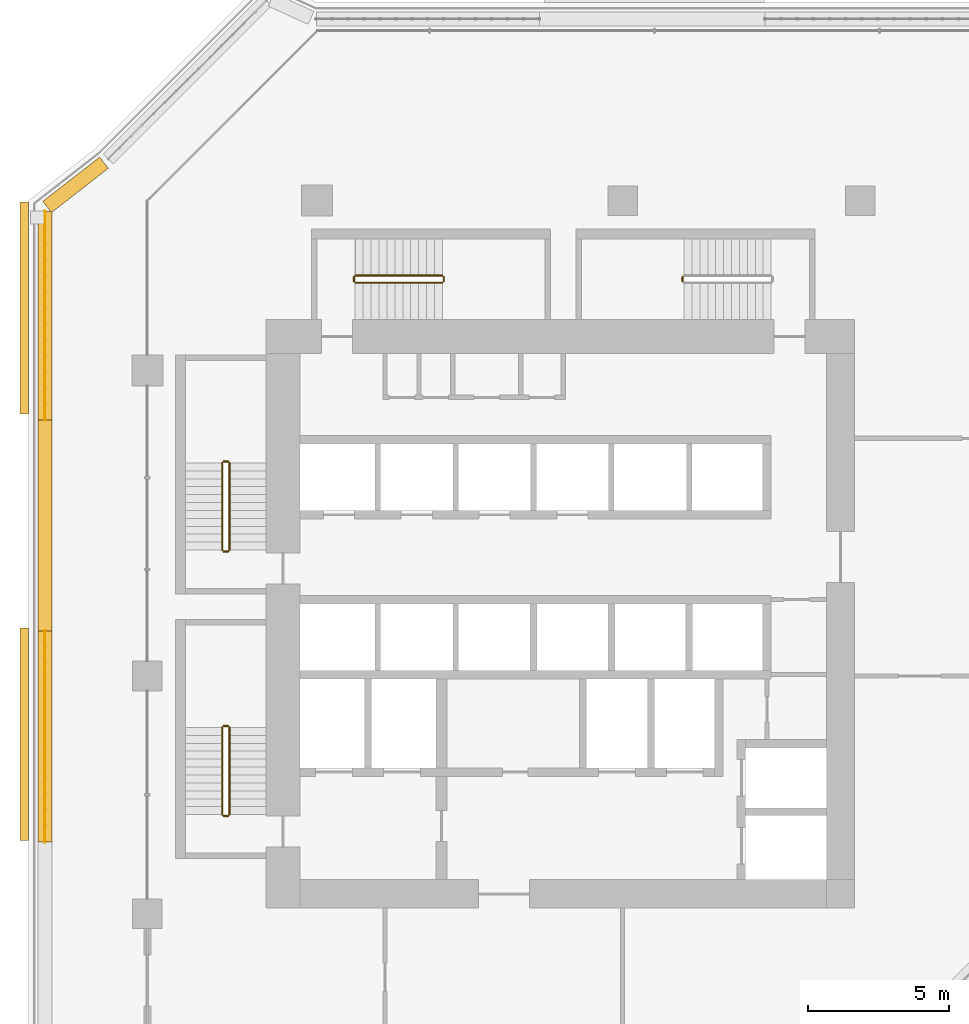
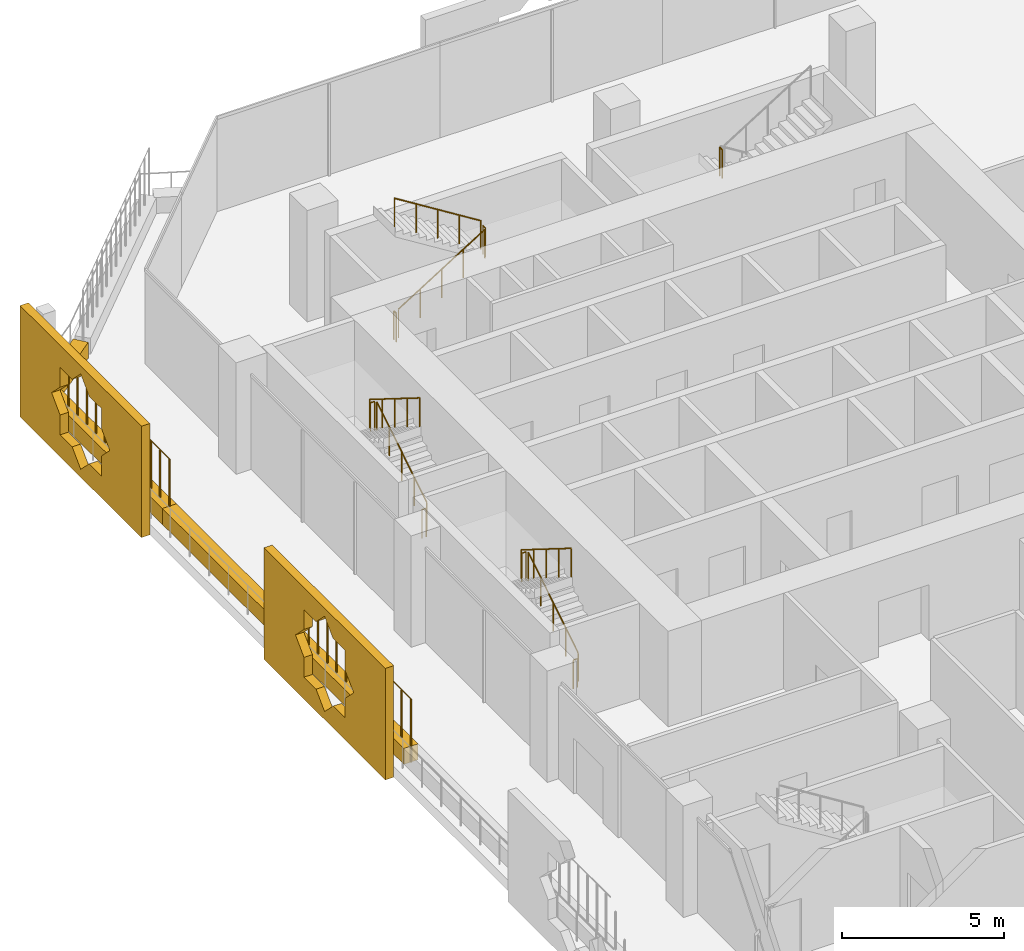
# One storey, part 21 of 25: 15 railings, 6 coverings.
"""IFC4 building model written with IfcOpenShell, lengths in metres."""

from ifc_helpers import new_model, si_unit, direction, frame, origin, origin_2d, place, context, subcontext, project, spatial, polyline, rectangle, circle, outline, extrude, material, material_profile, profile_set, type_object, element, save


model = new_model("IFC4")

# Units and contexts
model_context = context("Model", 3, precision=1e-05, world=origin(), true_north=direction((0.0, 1.0)))
body_context = subcontext(model_context, "Body", "Model", "MODEL_VIEW")
ifc_project = project(units=[si_unit("LENGTHUNIT", "METRE"), si_unit("AREAUNIT", "SQUARE_METRE"), si_unit("VOLUMEUNIT", "CUBIC_METRE"), si_unit("PLANEANGLEUNIT", "RADIAN"), si_unit("MASSUNIT", "GRAM", prefix="KILO")], contexts=[model_context])

# Site, building, storey
site_placement = place(None, origin())
site = spatial("IfcSite", under=ifc_project, at=site_placement, CompositionType="ELEMENT")
building_placement = place(site_placement, origin())
building = spatial("IfcBuilding", under=site, at=building_placement, Name="Kawkab Arch Medical Tower", CompositionType="ELEMENT")
storey_placement = place(building_placement, frame((0.0, 0.0, 140.800048828125)))
storey = spatial("IfcBuildingStorey", under=building, at=storey_placement, Name="L32", CompositionType="ELEMENT", Elevation=140.800048828125)

# Coverings
ifc_material_1 = material(Name="Bronze anodised aluminium mashrabiya panel, eight-point star pattern", Category="aluminium")
ifc_material_profile_1 = material_profile(ifc_material_1, outline(polyline([(-3.75, -2.10009765625), (3.75, -2.10009765625), (3.75, 2.10009765625), (-3.75, 2.10009765625), (-3.75, -2.10009765625)]), holes=[polyline([(1.800048828125, 0.0), (1.272705078125, 0.527099609375), (1.272705078125, 1.272705078125), (0.527099609375, 1.272705078125), (0.0, 1.800048828125), (-0.527099609375, 1.272705078125), (-1.272705078125, 1.272705078125), (-1.272705078125, 0.527099609375), (-1.800048828125, 0.0), (-1.272705078125, -0.527099609375), (-1.272705078125, -1.272705078125), (-0.527099609375, -1.272705078125), (0.0, -1.800048828125), (0.527099609375, -1.272705078125), (1.272705078125, -1.272705078125), (1.272705078125, -0.527099609375), (1.800048828125, 0.0)])]), Name="Mashrabiya panel 7500x4200")
ifc_profile_set_1 = profile_set([ifc_material_profile_1], Name="Bronze anodised aluminium mashrabiya panel, eight-point star pattern")
covering_type_1 = type_object("IfcCoveringType", Name="Mashrabiya panel 7500 x 4200", PredefinedType="USERDEFINED", material=ifc_profile_set_1)
for number, where, z_axis, x_axis, name in (
    (1, (-4.199951171875, -18.8583984375, 1.699951171875), (-1.0, 0.0, 0.0), (0.0, -1.0, 0.0), "Mashrabiya panel L32.LOG-01-01.4"),
    (2, (-4.199951171875, -3.795654296875, 1.699951171875), (-1.0, 0.0, 0.0), (0.0, -1.0, 0.0), "Mashrabiya panel L32.LOG-01-01.5"),
):
    element("IfcCovering", number, at=place(storey_placement, frame(where, z_axis=z_axis, x_axis=x_axis)), inside=storey, type_object=covering_type_1, Name=name, ObjectType="SCREEN", PredefinedType="USERDEFINED", context=body_context, shape_type="SweptSolid", body=[
        extrude(outline(polyline([(-3.75, -2.10009765625), (3.75, -2.10009765625), (3.75, 2.10009765625), (-3.75, 2.10009765625), (-3.75, -2.10009765625)]), holes=[polyline([(1.800048828125, 0.0), (1.272705078125, 0.527099609375), (1.272705078125, 1.272705078125), (0.527099609375, 1.272705078125), (0.0, 1.800048828125), (-0.527099609375, 1.272705078125), (-1.272705078125, 1.272705078125), (-1.272705078125, 0.527099609375), (-1.800048828125, 0.0), (-1.272705078125, -0.527099609375), (-1.272705078125, -1.272705078125), (-0.527099609375, -1.272705078125), (0.0, -1.800048828125), (0.527099609375, -1.272705078125), (1.272705078125, -1.272705078125), (1.272705078125, -0.527099609375), (1.800048828125, 0.0)])]), origin(), (0.0, 0.0, 1.0), 0.300048828125),
    ])
ifc_material_2 = material(Name="Planting soil in a precast trough", Category="concrete")
ifc_material_profile_2 = material_profile(ifc_material_2, rectangle(XDim=0.5, YDim=0.60009765625, at=origin_2d()), Name="Trough 500x600")
ifc_profile_set_2 = profile_set([ifc_material_profile_2], Name="Planting soil in a precast trough")
covering_type_2 = type_object("IfcCoveringType", Name="Planter trough 500 x 600", PredefinedType="USERDEFINED", material=ifc_profile_set_2)
for number, where, z_axis, x_axis, name in (
    (3, (-3.6201171875, -22.6689453125, 0.300048828125), (0.0, 1.0, 0.0), (-1.0, 0.0, 0.0), "Planter L32.LOG-01-01.11"),
    (4, (-3.6201171875, -15.20703125, 0.300048828125), (0.0, 1.0, 0.0), (-1.0, 0.0, 0.0), "Planter L32.LOG-01-01.12"),
):
    element("IfcCovering", number, at=place(storey_placement, frame(where, z_axis=z_axis, x_axis=x_axis)), inside=storey, type_object=covering_type_2, Name=name, ObjectType="PLANTER", PredefinedType="USERDEFINED", context=body_context, shape_type="SweptSolid", body=[
        extrude(rectangle(XDim=0.5, YDim=0.60009765625, at=origin_2d()), origin(), (0.0, 0.0, 1.0), 7.4619140625),
    ])
covering_1_placement = place(storey_placement, frame((-3.6201171875, -7.7451171875, 0.300048828125), z_axis=(0.0, 1.0, 0.0), x_axis=(-1.0, 0.0, 0.0)))
element("IfcCovering", 5, at=covering_1_placement, inside=storey, type_object=covering_type_2, Name="Planter L32.LOG-01-01.13", ObjectType="PLANTER", PredefinedType="USERDEFINED", context=body_context, shape_type="SweptSolid", body=[
    extrude(rectangle(XDim=0.5, YDim=0.60009765625, at=origin_2d()), origin(), (0.0, 0.0, 1.0), 7.361083984375),
])
covering_2_placement = place(storey_placement, frame((-3.541015625, -0.221923828125, 0.300048828125), z_axis=(0.789274742246, 0.61404021143, 0.0), x_axis=(-0.61404021143, 0.789274742246, 0.0)))
element("IfcCovering", 6, at=covering_2_placement, inside=storey, type_object=covering_type_2, Name="Planter L32.LOG-01-01.14", ObjectType="PLANTER", PredefinedType="USERDEFINED", context=body_context, shape_type="SweptSolid", body=[
    extrude(rectangle(XDim=0.5, YDim=0.60009765625, at=origin_2d()), origin(), (0.0, 0.0, 1.0), 2.54541015625),
])

# Railings
ifc_material_3 = material(Name="Bronze anodised aluminium trellis for climbing plants", Category="aluminium")
railing_type_1 = type_object("IfcRailingType", Name="Planting trellis 2400", PredefinedType="USERDEFINED", material=ifc_material_3)
railing_1_placement = place(storey_placement, frame((-3.6201171875, -22.6689453125, 0.0)))
element("IfcRailing", 7, at=railing_1_placement, inside=storey, type_object=railing_type_1, Name="Planting trellis L32.LOG-01-01.11", ObjectType="TRELLIS", PredefinedType="USERDEFINED", context=body_context, shape_type="SweptSolid", body=[
    extrude(circle(Radius=0.01513671875, at=origin_2d()), frame((0.0, 0.0, 2.384765625), z_axis=(0.0, 1.0, 0.0), x_axis=(-1.0, 0.0, 0.0)), (0.0, 0.0, 1.0), 7.4619140625),
    extrude(circle(Radius=0.030029296875, at=origin_2d()), origin(), (0.0, 0.0, 1.0), 2.369873046875),
    extrude(circle(Radius=0.030029296875, at=origin_2d()), frame((0.0, 0.573974609375, 0.0)), (0.0, 0.0, 1.0), 2.369873046875),
    extrude(circle(Radius=0.030029296875, at=origin_2d()), frame((0.0, 1.14794921875, 0.0)), (0.0, 0.0, 1.0), 2.369873046875),
    extrude(circle(Radius=0.030029296875, at=origin_2d()), frame((0.0, 1.721923828125, 0.0)), (0.0, 0.0, 1.0), 2.369873046875),
    extrude(circle(Radius=0.030029296875, at=origin_2d()), frame((0.0, 2.2958984375, 0.0)), (0.0, 0.0, 1.0), 2.369873046875),
    extrude(circle(Radius=0.030029296875, at=origin_2d()), frame((0.0, 2.869873046875, 0.0)), (0.0, 0.0, 1.0), 2.369873046875),
    extrude(circle(Radius=0.030029296875, at=origin_2d()), frame((0.0, 3.44384765625, 0.0)), (0.0, 0.0, 1.0), 2.369873046875),
    extrude(circle(Radius=0.030029296875, at=origin_2d()), frame((0.0, 4.01806640625, 0.0)), (0.0, 0.0, 1.0), 2.369873046875),
    extrude(circle(Radius=0.030029296875, at=origin_2d()), frame((0.0, 4.592041015625, 0.0)), (0.0, 0.0, 1.0), 2.369873046875),
    extrude(circle(Radius=0.030029296875, at=origin_2d()), frame((0.0, 5.166015625, 0.0)), (0.0, 0.0, 1.0), 2.369873046875),
    extrude(circle(Radius=0.030029296875, at=origin_2d()), frame((0.0, 5.739990234375, 0.0)), (0.0, 0.0, 1.0), 2.369873046875),
    extrude(circle(Radius=0.030029296875, at=origin_2d()), frame((0.0, 6.31396484375, 0.0)), (0.0, 0.0, 1.0), 2.369873046875),
    extrude(circle(Radius=0.030029296875, at=origin_2d()), frame((0.0, 6.887939453125, 0.0)), (0.0, 0.0, 1.0), 2.369873046875),
    extrude(circle(Radius=0.030029296875, at=origin_2d()), frame((0.0, 7.4619140625, 0.0)), (0.0, 0.0, 1.0), 2.369873046875),
])
railing_2_placement = place(storey_placement, frame((-3.6201171875, -7.7451171875, 0.0)))
element("IfcRailing", 8, at=railing_2_placement, inside=storey, type_object=railing_type_1, Name="Planting trellis L32.LOG-01-01.13", ObjectType="TRELLIS", PredefinedType="USERDEFINED", context=body_context, shape_type="SweptSolid", body=[
    extrude(circle(Radius=0.01513671875, at=origin_2d()), frame((0.0, 0.0, 2.384765625), z_axis=(0.0, 1.0, 0.0), x_axis=(-1.0, 0.0, 0.0)), (0.0, 0.0, 1.0), 7.361083984375),
    extrude(circle(Radius=0.030029296875, at=origin_2d()), origin(), (0.0, 0.0, 1.0), 2.369873046875),
    extrude(circle(Radius=0.030029296875, at=origin_2d()), frame((0.0, 0.566162109375, 0.0)), (0.0, 0.0, 1.0), 2.369873046875),
    extrude(circle(Radius=0.030029296875, at=origin_2d()), frame((0.0, 1.132568359375, 0.0)), (0.0, 0.0, 1.0), 2.369873046875),
    extrude(circle(Radius=0.030029296875, at=origin_2d()), frame((0.0, 1.69873046875, 0.0)), (0.0, 0.0, 1.0), 2.369873046875),
    extrude(circle(Radius=0.030029296875, at=origin_2d()), frame((0.0, 2.264892578125, 0.0)), (0.0, 0.0, 1.0), 2.369873046875),
    extrude(circle(Radius=0.030029296875, at=origin_2d()), frame((0.0, 2.831298828125, 0.0)), (0.0, 0.0, 1.0), 2.369873046875),
    extrude(circle(Radius=0.030029296875, at=origin_2d()), frame((0.0, 3.3974609375, 0.0)), (0.0, 0.0, 1.0), 2.369873046875),
    extrude(circle(Radius=0.030029296875, at=origin_2d()), frame((0.0, 3.963623046875, 0.0)), (0.0, 0.0, 1.0), 2.369873046875),
    extrude(circle(Radius=0.030029296875, at=origin_2d()), frame((0.0, 4.52978515625, 0.0)), (0.0, 0.0, 1.0), 2.369873046875),
    extrude(circle(Radius=0.030029296875, at=origin_2d()), frame((0.0, 5.09619140625, 0.0)), (0.0, 0.0, 1.0), 2.369873046875),
    extrude(circle(Radius=0.030029296875, at=origin_2d()), frame((0.0, 5.662353515625, 0.0)), (0.0, 0.0, 1.0), 2.369873046875),
    extrude(circle(Radius=0.030029296875, at=origin_2d()), frame((0.0, 6.228515625, 0.0)), (0.0, 0.0, 1.0), 2.369873046875),
    extrude(circle(Radius=0.030029296875, at=origin_2d()), frame((0.0, 6.794921875, 0.0)), (0.0, 0.0, 1.0), 2.369873046875),
    extrude(circle(Radius=0.030029296875, at=origin_2d()), frame((0.0, 7.361083984375, 0.0)), (0.0, 0.0, 1.0), 2.369873046875),
])
ifc_material_4 = material(Name="Stainless steel", Category="steel")
railing_type_2 = type_object("IfcRailingType", Name="Stair guard 1100", PredefinedType="GUARDRAIL", material=ifc_material_4)
railing_3_placement = place(storey_placement, frame((2.89990234375, -12.35009765625, 0.175048828125)))
element("IfcRailing", 9, at=railing_3_placement, inside=storey, type_object=railing_type_2, Name="L32 ST1 stair guard 1", PredefinedType="GUARDRAIL", context=body_context, shape_type="SweptSolid", body=[
    extrude(circle(Radius=0.02392578125, at=origin_2d()), frame((0.0, 0.0, 1.076171875), z_axis=(0.0, 0.848028513186, 0.529950602248), x_axis=(-1.0, 0.0, 0.0)), (0.0, 0.0, 1.0), 3.632080078125),
    extrude(circle(Radius=0.02099609375, at=origin_2d()), origin(), (0.0, 0.0, 1.0), 1.052001953125),
    extrude(circle(Radius=0.02099609375, at=origin_2d()), frame((0.0, 0.77001953125, 0.481201171875)), (0.0, 0.0, 1.0), 1.052001953125),
    extrude(circle(Radius=0.02099609375, at=origin_2d()), frame((0.0, 1.5400390625, 0.96240234375)), (0.0, 0.0, 1.0), 1.052001953125),
    extrude(circle(Radius=0.02099609375, at=origin_2d()), frame((0.0, 2.31005859375, 1.443603515625)), (0.0, 0.0, 1.0), 1.052001953125),
    extrude(circle(Radius=0.02099609375, at=origin_2d()), frame((0.0, 3.080078125, 1.9248046875)), (0.0, 0.0, 1.0), 1.052001953125),
])
railing_4_placement = place(storey_placement, frame((2.85009765625, -9.219970703125, 2.099853515625)))
element("IfcRailing", 10, at=railing_4_placement, inside=storey, type_object=railing_type_2, Name="L32 ST1 stair guard 2", PredefinedType="GUARDRAIL", context=body_context, shape_type="SweptSolid", body=[
    extrude(circle(Radius=0.02392578125, at=origin_2d()), frame((0.0, 0.0, 1.076171875), z_axis=(-1.0, 0.0, 0.0), x_axis=(0.0, -1.0, 0.0)), (0.0, 0.0, 1.0), 0.150146484375),
    extrude(circle(Radius=0.02099609375, at=origin_2d()), origin(), (0.0, 0.0, 1.0), 1.052001953125),
    extrude(circle(Radius=0.02099609375, at=origin_2d()), frame((-0.150146484375, 0.0, 0.0)), (0.0, 0.0, 1.0), 1.052001953125),
])
railing_5_placement = place(storey_placement, frame((2.64990234375, -9.27001953125, 2.27490234375)))
element("IfcRailing", 11, at=railing_5_placement, inside=storey, type_object=railing_type_2, Name="L32 ST1 stair guard 3", PredefinedType="GUARDRAIL", context=body_context, shape_type="SweptSolid", body=[
    extrude(circle(Radius=0.02392578125, at=origin_2d()), frame((0.0, 0.0, 1.076171875), z_axis=(0.0, -0.847998304005, 0.529998940003), x_axis=(1.0, 0.0, 0.0)), (0.0, 0.0, 1.0), 3.632080078125),
    extrude(circle(Radius=0.02099609375, at=origin_2d()), origin(), (0.0, 0.0, 1.0), 1.052001953125),
    extrude(circle(Radius=0.02099609375, at=origin_2d()), frame((0.0, -0.77001953125, 0.481201171875)), (0.0, 0.0, 1.0), 1.052001953125),
    extrude(circle(Radius=0.02099609375, at=origin_2d()), frame((0.0, -1.5400390625, 0.96240234375)), (0.0, 0.0, 1.0), 1.052001953125),
    extrude(circle(Radius=0.02099609375, at=origin_2d()), frame((0.0, -2.31005859375, 1.44384765625)), (0.0, 0.0, 1.0), 1.052001953125),
    extrude(circle(Radius=0.02099609375, at=origin_2d()), frame((0.0, -3.080078125, 1.925048828125)), (0.0, 0.0, 1.0), 1.052001953125),
])
railing_6_placement = place(storey_placement, frame((2.85009765625, -12.39990234375, 0.0)))
element("IfcRailing", 12, at=railing_6_placement, inside=storey, type_object=railing_type_2, Name="L32 ST1 stair guard 4", PredefinedType="GUARDRAIL", context=body_context, shape_type="SweptSolid", body=[
    extrude(circle(Radius=0.02392578125, at=origin_2d()), frame((0.0, 0.0, 1.076171875), z_axis=(-1.0, 0.0, 0.0), x_axis=(0.0, -1.0, 0.0)), (0.0, 0.0, 1.0), 0.150146484375),
    extrude(circle(Radius=0.02099609375, at=origin_2d()), origin(), (0.0, 0.0, 1.0), 1.052001953125),
    extrude(circle(Radius=0.02099609375, at=origin_2d()), frame((-0.150146484375, 0.0, 0.0)), (0.0, 0.0, 1.0), 1.052001953125),
])
railing_7_placement = place(storey_placement, frame((2.89990234375, -21.699951171875, 0.175048828125)))
element("IfcRailing", 13, at=railing_7_placement, inside=storey, type_object=railing_type_2, Name="L32 ST2 stair guard 1", PredefinedType="GUARDRAIL", context=body_context, shape_type="SweptSolid", body=[
    extrude(circle(Radius=0.02392578125, at=origin_2d()), frame((0.0, 0.0, 1.076171875), z_axis=(0.0, 0.848009633417, 0.529980812513), x_axis=(-1.0, 0.0, 0.0)), (0.0, 0.0, 1.0), 3.6318359375),
    extrude(circle(Radius=0.02099609375, at=origin_2d()), origin(), (0.0, 0.0, 1.0), 1.052001953125),
    extrude(circle(Radius=0.02099609375, at=origin_2d()), frame((0.0, 0.77001953125, 0.481201171875)), (0.0, 0.0, 1.0), 1.052001953125),
    extrude(circle(Radius=0.02099609375, at=origin_2d()), frame((0.0, 1.5400390625, 0.96240234375)), (0.0, 0.0, 1.0), 1.052001953125),
    extrude(circle(Radius=0.02099609375, at=origin_2d()), frame((0.0, 2.309814453125, 1.443603515625)), (0.0, 0.0, 1.0), 1.052001953125),
    extrude(circle(Radius=0.02099609375, at=origin_2d()), frame((0.0, 3.079833984375, 1.9248046875)), (0.0, 0.0, 1.0), 1.052001953125),
])
railing_8_placement = place(storey_placement, frame((2.85009765625, -18.570068359375, 2.099853515625)))
element("IfcRailing", 14, at=railing_8_placement, inside=storey, type_object=railing_type_2, Name="L32 ST2 stair guard 2", PredefinedType="GUARDRAIL", context=body_context, shape_type="SweptSolid", body=[
    extrude(circle(Radius=0.02392578125, at=origin_2d()), frame((0.0, 0.0, 1.076171875), z_axis=(-1.0, 0.0, 0.0), x_axis=(0.0, -1.0, 0.0)), (0.0, 0.0, 1.0), 0.150146484375),
    extrude(circle(Radius=0.02099609375, at=origin_2d()), origin(), (0.0, 0.0, 1.0), 1.052001953125),
    extrude(circle(Radius=0.02099609375, at=origin_2d()), frame((-0.150146484375, 0.0, 0.0)), (0.0, 0.0, 1.0), 1.052001953125),
])
railing_9_placement = place(storey_placement, frame((2.64990234375, -18.6201171875, 2.27490234375)))
element("IfcRailing", 15, at=railing_9_placement, inside=storey, type_object=railing_type_2, Name="L32 ST2 stair guard 3", PredefinedType="GUARDRAIL", context=body_context, shape_type="SweptSolid", body=[
    extrude(circle(Radius=0.02392578125, at=origin_2d()), frame((0.0, 0.0, 1.076171875), z_axis=(0.0, -0.847979421464, 0.530029150871), x_axis=(1.0, 0.0, 0.0)), (0.0, 0.0, 1.0), 3.632080078125),
    extrude(circle(Radius=0.02099609375, at=origin_2d()), origin(), (0.0, 0.0, 1.0), 1.052001953125),
    extrude(circle(Radius=0.02099609375, at=origin_2d()), frame((0.0, -0.77001953125, 0.481201171875)), (0.0, 0.0, 1.0), 1.052001953125),
    extrude(circle(Radius=0.02099609375, at=origin_2d()), frame((0.0, -1.5400390625, 0.96240234375)), (0.0, 0.0, 1.0), 1.052001953125),
    extrude(circle(Radius=0.02099609375, at=origin_2d()), frame((0.0, -2.309814453125, 1.44384765625)), (0.0, 0.0, 1.0), 1.052001953125),
    extrude(circle(Radius=0.02099609375, at=origin_2d()), frame((0.0, -3.079833984375, 1.925048828125)), (0.0, 0.0, 1.0), 1.052001953125),
])
railing_10_placement = place(storey_placement, frame((2.85009765625, -21.75, 0.0)))
element("IfcRailing", 16, at=railing_10_placement, inside=storey, type_object=railing_type_2, Name="L32 ST2 stair guard 4", PredefinedType="GUARDRAIL", context=body_context, shape_type="SweptSolid", body=[
    extrude(circle(Radius=0.02392578125, at=origin_2d()), frame((0.0, 0.0, 1.076171875), z_axis=(-1.0, 0.0, 0.0), x_axis=(0.0, -1.0, 0.0)), (0.0, 0.0, 1.0), 0.150146484375),
    extrude(circle(Radius=0.02099609375, at=origin_2d()), origin(), (0.0, 0.0, 1.0), 1.052001953125),
    extrude(circle(Radius=0.02099609375, at=origin_2d()), frame((-0.150146484375, 0.0, 0.0)), (0.0, 0.0, 1.0), 1.052001953125),
])
railing_11_placement = place(storey_placement, frame((7.35009765625, -2.89990234375, 0.175048828125)))
element("IfcRailing", 17, at=railing_11_placement, inside=storey, type_object=railing_type_2, Name="L32 ST3 stair guard 1", PredefinedType="GUARDRAIL", context=body_context, shape_type="SweptSolid", body=[
    extrude(circle(Radius=0.02392578125, at=origin_2d()), frame((0.0, 0.0, 1.076171875), z_axis=(0.848009633417, 0.0, 0.529980812513), x_axis=(0.0, 1.0, 0.0)), (0.0, 0.0, 1.0), 3.6318359375),
    extrude(circle(Radius=0.02099609375, at=origin_2d()), origin(), (0.0, 0.0, 1.0), 1.052001953125),
    extrude(circle(Radius=0.02099609375, at=origin_2d()), frame((0.77001953125, 0.0, 0.481201171875)), (0.0, 0.0, 1.0), 1.052001953125),
    extrude(circle(Radius=0.02099609375, at=origin_2d()), frame((1.5400390625, 0.0, 0.96240234375)), (0.0, 0.0, 1.0), 1.052001953125),
    extrude(circle(Radius=0.02099609375, at=origin_2d()), frame((2.309814453125, 0.0, 1.443603515625)), (0.0, 0.0, 1.0), 1.052001953125),
    extrude(circle(Radius=0.02099609375, at=origin_2d()), frame((3.079833984375, 0.0, 1.9248046875)), (0.0, 0.0, 1.0), 1.052001953125),
])
railing_12_placement = place(storey_placement, frame((10.47998046875, -2.85009765625, 2.099853515625)))
element("IfcRailing", 18, at=railing_12_placement, inside=storey, type_object=railing_type_2, Name="L32 ST3 stair guard 2", PredefinedType="GUARDRAIL", context=body_context, shape_type="SweptSolid", body=[
    extrude(circle(Radius=0.02392578125, at=origin_2d()), frame((0.0, 0.0, 1.076171875), z_axis=(0.0, 1.0, 0.0), x_axis=(-1.0, 0.0, 0.0)), (0.0, 0.0, 1.0), 0.150146484375),
    extrude(circle(Radius=0.02099609375, at=origin_2d()), origin(), (0.0, 0.0, 1.0), 1.052001953125),
    extrude(circle(Radius=0.02099609375, at=origin_2d()), frame((0.0, 0.150146484375, 0.0)), (0.0, 0.0, 1.0), 1.052001953125),
])
railing_13_placement = place(storey_placement, frame((10.429931640625, -2.64990234375, 2.27490234375)))
element("IfcRailing", 19, at=railing_13_placement, inside=storey, type_object=railing_type_2, Name="L32 ST3 stair guard 3", PredefinedType="GUARDRAIL", context=body_context, shape_type="SweptSolid", body=[
    extrude(circle(Radius=0.02392578125, at=origin_2d()), frame((0.0, 0.0, 1.076171875), z_axis=(-0.847979421464, 0.0, 0.530029150871), x_axis=(0.0, -1.0, 0.0)), (0.0, 0.0, 1.0), 3.632080078125),
    extrude(circle(Radius=0.02099609375, at=origin_2d()), origin(), (0.0, 0.0, 1.0), 1.052001953125),
    extrude(circle(Radius=0.02099609375, at=origin_2d()), frame((-0.77001953125, 0.0, 0.481201171875)), (0.0, 0.0, 1.0), 1.052001953125),
    extrude(circle(Radius=0.02099609375, at=origin_2d()), frame((-1.5400390625, 0.0, 0.96240234375)), (0.0, 0.0, 1.0), 1.052001953125),
    extrude(circle(Radius=0.02099609375, at=origin_2d()), frame((-2.309814453125, 0.0, 1.44384765625)), (0.0, 0.0, 1.0), 1.052001953125),
    extrude(circle(Radius=0.02099609375, at=origin_2d()), frame((-3.079833984375, 0.0, 1.925048828125)), (0.0, 0.0, 1.0), 1.052001953125),
])
railing_14_placement = place(storey_placement, frame((7.300048828125, -2.85009765625, 0.0)))
element("IfcRailing", 20, at=railing_14_placement, inside=storey, type_object=railing_type_2, Name="L32 ST3 stair guard 4", PredefinedType="GUARDRAIL", context=body_context, shape_type="SweptSolid", body=[
    extrude(circle(Radius=0.02392578125, at=origin_2d()), frame((0.0, 0.0, 1.076171875), z_axis=(0.0, 1.0, 0.0), x_axis=(-1.0, 0.0, 0.0)), (0.0, 0.0, 1.0), 0.150146484375),
    extrude(circle(Radius=0.02099609375, at=origin_2d()), origin(), (0.0, 0.0, 1.0), 1.052001953125),
    extrude(circle(Radius=0.02099609375, at=origin_2d()), frame((0.0, 0.150146484375, 0.0)), (0.0, 0.0, 1.0), 1.052001953125),
])
railing_15_placement = place(storey_placement, frame((18.919921875, -2.699951171875, 2.099853515625)))
element("IfcRailing", 21, at=railing_15_placement, inside=storey, type_object=railing_type_2, Name="L32 ST4 stair guard 2", PredefinedType="GUARDRAIL", context=body_context, shape_type="SweptSolid", body=[
    extrude(circle(Radius=0.02392578125, at=origin_2d()), frame((0.0, 0.0, 1.076171875), z_axis=(0.0, -1.0, 0.0), x_axis=(1.0, 0.0, 0.0)), (0.0, 0.0, 1.0), 0.150146484375),
    extrude(circle(Radius=0.02099609375, at=origin_2d()), origin(), (0.0, 0.0, 1.0), 1.052001953125),
    extrude(circle(Radius=0.02099609375, at=origin_2d()), frame((0.0, -0.150146484375, 0.0)), (0.0, 0.0, 1.0), 1.052001953125),
])

save(model, "model.ifc")
